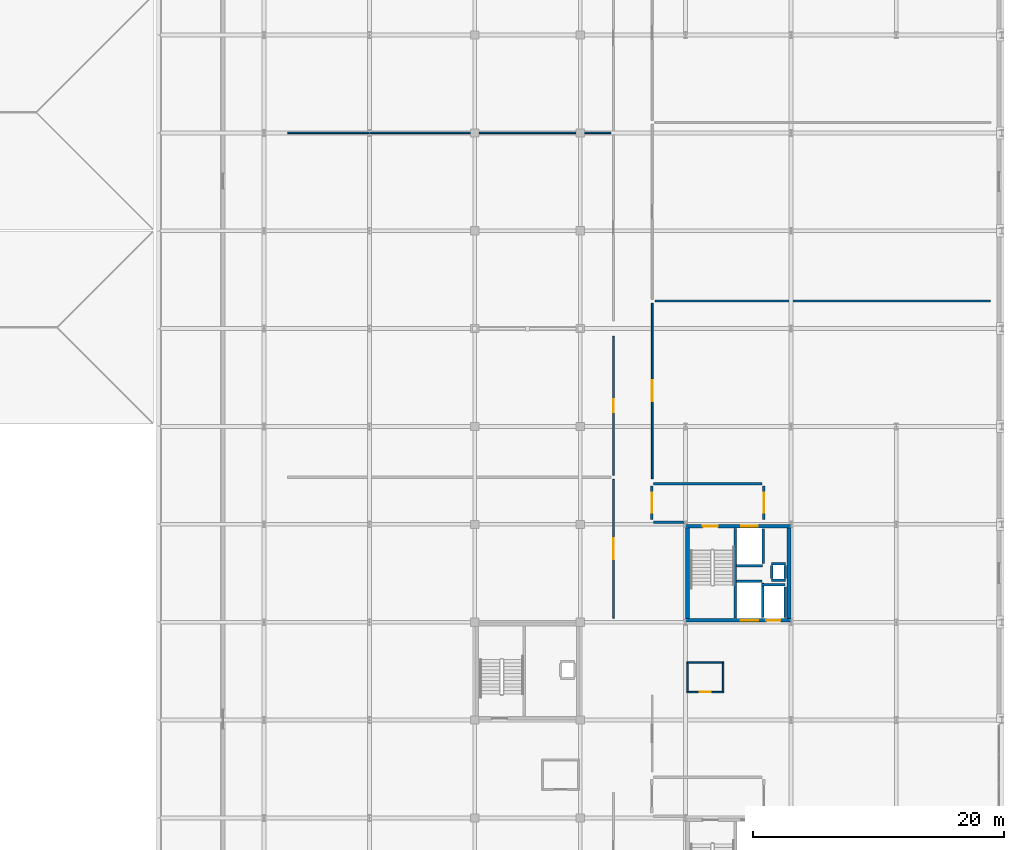
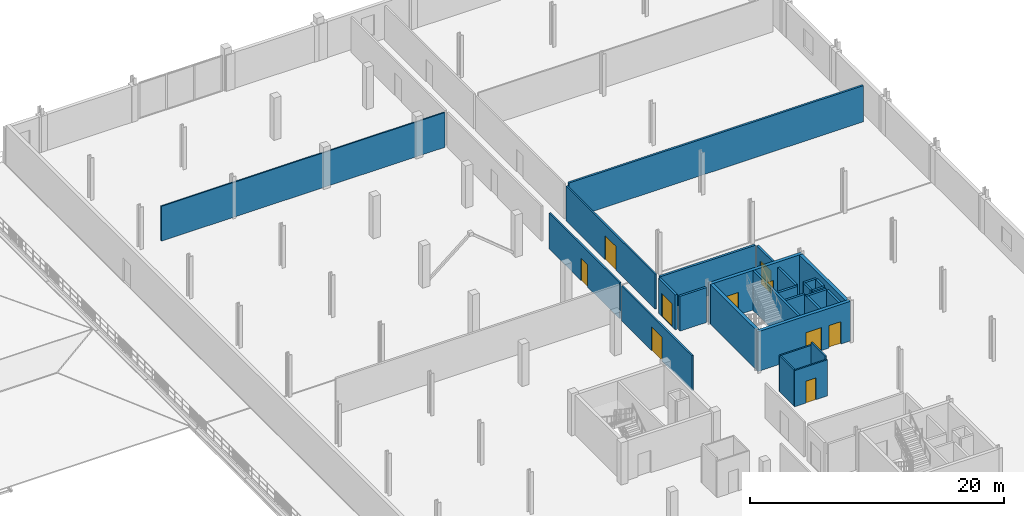
# One storey, part 62 of 77: 28 walls, 10 doors, 10 openings.
"""IFC4 building model written with IfcOpenShell, lengths in metres."""

import ifcopenshell
import ifcopenshell.guid

model = None  # the IFC model being written
_history = None  # IfcOwnerHistory: only IFC2X3 demands one
_inside = {}  # id of a spatial element -> (the spatial element, [elements in it])
_under = {}  # id of a project, library or spatial element -> (it, [spatial elements below it])
_declared = {}  # id of a project -> (the project, [libraries it declares])
_typed = {}  # id of a type object -> (the type object, [elements of that type])
_made_of = {}  # id of a material, layer set ... -> (it, [elements and type objects made of it])


def new_model(schema):
    """Start an empty IFC model of exactly this schema.

    Asked for "IFC4X3", IfcOpenShell would pick the latest addendum, in which some entities
    have other attributes; the version numbers below select the first issue.
    IFC2X3 requires an IfcOwnerHistory on every rooted entity: one is made here for all.
    """
    global model, _history
    if schema == "IFC4X3":
        model = ifcopenshell.file(schema_version=(4, 3, 0, 0))
    else:
        model = ifcopenshell.file(schema=schema)
    _inside.clear()
    _under.clear()
    _declared.clear()
    _typed.clear()
    _made_of.clear()
    _history = None
    if model.schema == "IFC2X3":
        org = make("IfcOrganization", Name="unknown")
        user = make(
            "IfcPersonAndOrganization",
            ThePerson=make("IfcPerson", FamilyName="unknown"),
            TheOrganization=org,
        )
        app = make(
            "IfcApplication",
            ApplicationDeveloper=org,
            Version="unknown",
            ApplicationFullName="unknown",
            ApplicationIdentifier="unknown",
        )
        _history = make(
            "IfcOwnerHistory",
            OwningUser=user,
            OwningApplication=app,
            ChangeAction="ADDED",
            CreationDate=0,
        )
    return model


def make(cls, **values):
    """One entity of the class cls with the attributes given. An attribute that is None is left unset."""
    return model.create_entity(
        cls, **{name: value for name, value in values.items() if value is not None}
    )


def rooted(cls, **values):
    """An entity with a GlobalId (a new one), such as an element, a storey or a relation."""
    return make(cls, GlobalId=ifcopenshell.guid.new(), OwnerHistory=_history, **values)


def si_unit(unit_type, name, prefix=None):
    """IfcSIUnit, for example si_unit("LENGTHUNIT", "METRE", prefix="MILLI")."""
    return make("IfcSIUnit", UnitType=unit_type, Prefix=prefix, Name=name)


def assignment(units):
    """IfcUnitAssignment: the units of a project."""
    return None if units is None else make("IfcUnitAssignment", Units=units)


def point(xyz):
    """IfcCartesianPoint."""
    return None if xyz is None else make("IfcCartesianPoint", Coordinates=xyz)


def direction(xyz):
    """IfcDirection."""
    return None if xyz is None else make("IfcDirection", DirectionRatios=xyz)


def frame(location, z_axis=None, x_axis=None):
    """IfcAxis2Placement3D, a coordinate frame: its origin and axes. An axis left out is left unset."""
    return make(
        "IfcAxis2Placement3D",
        Location=point(location),
        Axis=direction(z_axis),
        RefDirection=direction(x_axis),
    )


def frame_2d(location, x_axis=None):
    """IfcAxis2Placement2D, a coordinate frame in the plane: its origin and x axis."""
    return make(
        "IfcAxis2Placement2D", Location=point(location), RefDirection=direction(x_axis)
    )


def origin():
    """The frame at (0, 0, 0) with its axes left unset."""
    return frame((0.0, 0.0, 0.0))


def place(relative_to, where):
    """IfcLocalPlacement: puts the frame where relative to a parent placement (None: the world)."""
    return make(
        "IfcLocalPlacement", PlacementRelTo=relative_to, RelativePlacement=where
    )


def context(
    kind, dimensions, precision=None, world=None, true_north=None, identifier=None
):
    """IfcGeometricRepresentationContext, for example the 3D "Model" context."""
    return make(
        "IfcGeometricRepresentationContext",
        ContextIdentifier=identifier,
        ContextType=kind,
        CoordinateSpaceDimension=dimensions,
        Precision=precision,
        WorldCoordinateSystem=world,
        TrueNorth=true_north,
    )


def subcontext(parent, identifier, kind, view, scale=None):
    """IfcGeometricRepresentationSubContext, for example "Body" below "Model"."""
    return make(
        "IfcGeometricRepresentationSubContext",
        ContextIdentifier=identifier,
        ContextType=kind,
        ParentContext=parent,
        TargetScale=scale,
        TargetView=view,
    )


def project(units=None, contexts=None):
    """IfcProject with its units and contexts."""
    return rooted(
        "IfcProject",
        Name="project",
        RepresentationContexts=contexts,
        UnitsInContext=assignment(units),
    )


def spatial(cls, under=None, at=None, **own):
    """A site, building, storey or space (cls), placed at a placement, below another one or the project."""
    s = rooted(cls, ObjectPlacement=at, **own)
    if under is not None:
        _under.setdefault(under.id(), (under, []))[1].append(s)
    return s


def profile(cls, at=None, kind="AREA", **sizes):
    """A parametric profile (cls). Its sizes go by their IFC names, for example OverallWidth=200.0."""
    return make(cls, ProfileType=kind, Position=at, **sizes)


def rectangle(**sizes):
    """IfcRectangleProfileDef."""
    return profile("IfcRectangleProfileDef", **sizes)


def extrude(swept, where, along, depth):
    """IfcExtrudedAreaSolid: the profile swept, set in the frame where, extruded along a direction by depth."""
    return make(
        "IfcExtrudedAreaSolid",
        SweptArea=swept,
        Position=where,
        ExtrudedDirection=direction(along),
        Depth=depth,
    )


def shape(context_of_items, identifier, shape_type, items):
    """IfcShapeRepresentation: the items that make up one representation, for example the "Body"."""
    return make(
        "IfcShapeRepresentation",
        ContextOfItems=context_of_items,
        RepresentationIdentifier=identifier,
        RepresentationType=shape_type,
        Items=items,
    )


def material(Name=None, Category=None):
    """IfcMaterial."""
    return make("IfcMaterial", Name=Name, Category=Category)


def layer(
    of_material, thickness, ventilated=None, Name=None, Category=None, Priority=None
):
    """IfcMaterialLayer: one layer of a wall or slab, of a material (None: an air gap)."""
    return make(
        "IfcMaterialLayer",
        Material=of_material,
        LayerThickness=thickness,
        IsVentilated=ventilated,
        Name=Name,
        Category=Category,
        Priority=Priority,
    )


def layer_set(layers, Name=None):
    """IfcMaterialLayerSet."""
    return make("IfcMaterialLayerSet", MaterialLayers=layers, LayerSetName=Name)


def made_of(thing, what):
    """Note that an element or type object is made of a material, layer set ...; save() writes the relation."""
    if what is not None:
        _made_of.setdefault(what.id(), (what, []))[1].append(thing)
    return thing


def type_object(cls, material=None, **own):
    """A type object (cls), such as IfcWallType, which elements share."""
    return made_of(rooted(cls, **own), material)


def element(
    cls,
    number,
    at=None,
    inside=None,
    cuts=None,
    type_object=None,
    material=None,
    context=None,
    identifier="Body",
    shape_type=None,
    held_by="IfcProductDefinitionShape",
    body=None,
    shapes=None,
    **own,
):
    """One element of the class cls, such as IfcWall. Its Tag is "e" and its number.

    at: its placement. inside: the storey or other place that contains it. cuts: it is an
    opening in that element (IfcRelVoidsElement). A single representation is given by context,
    identifier, shape_type and body (its items); several are given by shapes. held_by: the class
    of the entity that holds the representations. save() writes the other relations.
    """
    e = rooted(cls, Tag="e%d" % number, ObjectPlacement=at, **own)
    if body is not None:
        shapes = [shape(context, identifier, shape_type, body)]
    if shapes is not None:
        e.Representation = make(held_by, Representations=shapes)
    if inside is not None:
        _inside.setdefault(inside.id(), (inside, []))[1].append(e)
    if cuts is not None:
        rooted(
            "IfcRelVoidsElement", RelatingBuildingElement=cuts, RelatedOpeningElement=e
        )
    if type_object is not None:
        _typed.setdefault(type_object.id(), (type_object, []))[1].append(e)
    return made_of(e, material)


def fill(opening, filler):
    """IfcRelFillsElement: the door or window that sits in an opening."""
    return rooted(
        "IfcRelFillsElement",
        RelatingOpeningElement=opening,
        RelatedBuildingElement=filler,
    )


def aggregate(whole, parts):
    """IfcRelAggregates: a whole, such as a stair, and the parts it consists of."""
    return rooted("IfcRelAggregates", RelatingObject=whole, RelatedObjects=parts)


def save(model, path):
    """Write the relations noted so far, then the file.

    IfcRelAggregates (storeys below a building ...), IfcRelContainedInSpatialStructure (elements
    in a storey), IfcRelDefinesByType, IfcRelAssociatesMaterial and IfcRelDeclares: one each for
    every whole, place, type object, material and project.
    """
    for whole, parts in _under.values():
        aggregate(whole, parts)
    for where, things in _inside.values():
        rooted(
            "IfcRelContainedInSpatialStructure",
            RelatedElements=things,
            RelatingStructure=where,
        )
    for kind, things in _typed.values():
        rooted("IfcRelDefinesByType", RelatedObjects=things, RelatingType=kind)
    for what, things in _made_of.values():
        rooted("IfcRelAssociatesMaterial", RelatedObjects=things, RelatingMaterial=what)
    for by, libraries in _declared.values():
        rooted("IfcRelDeclares", RelatingContext=by, RelatedDefinitions=libraries)
    model.write(path)


model = new_model("IFC4")

# Units and contexts
model_context = context("Model", 3, precision=1e-05, world=origin(), true_north=direction((0.0, 1.0)))
body_context = subcontext(model_context, "Body", "Model", "MODEL_VIEW")
ifc_project = project(units=[si_unit("LENGTHUNIT", "METRE"), si_unit("AREAUNIT", "SQUARE_METRE"), si_unit("VOLUMEUNIT", "CUBIC_METRE"), si_unit("PLANEANGLEUNIT", "RADIAN"), si_unit("MASSUNIT", "GRAM", prefix="KILO")], contexts=[model_context])

# Site, building, storey
site_placement = place(None, origin())
site = spatial("IfcSite", under=ifc_project, at=site_placement, CompositionType="ELEMENT")
building_placement = place(site_placement, origin())
building = spatial("IfcBuilding", under=site, at=building_placement, Name="Nabrawat Pavilion Hospital", CompositionType="ELEMENT")
storey_placement = place(building_placement, frame((0.0, 0.0, 14.85009765625)))
storey = spatial("IfcBuildingStorey", under=building, at=storey_placement, Name="L03", CompositionType="ELEMENT", Elevation=14.85009765625)

# Wall, opening, door
ifc_material_1 = material(Name="Gypsum Fireboard on Steel Stud", Category="steel")
ifc_layer_1 = layer(ifc_material_1, 0.14990234375, Name="Gypsum Fireboard on Steel Stud")
ifc_layer_set_1 = layer_set([ifc_layer_1], Name="Gypsum Fireboard on Steel Stud")
wall_type_1 = type_object("IfcWallType", Name="Clinical Corridor Smoke-Barrier Wall 150", PredefinedType="PARTITIONING", material=ifc_layer_set_1)
wall_1_placement = place(storey_placement, frame((162.260009765625, 70.52001953125, 0.0), z_axis=(0.0, 0.0, 1.0), x_axis=(0.0, 1.0, 0.0)))
wall_1 = element("IfcWall", 1, at=wall_1_placement, inside=storey, type_object=wall_type_1, Name="L03 Intensive Care Pod Cardiac Step-Down L03-03 Front Partition", PredefinedType="PARTITIONING", context=body_context, shape_type="SweptSolid", body=[
    extrude(rectangle(XDim=11.070068359375, YDim=0.14990234375, at=frame_2d((5.53515625, 0.0))), origin(), (0.0, 0.0, 1.0), 3.349853515625),
])
opening_1_placement = place(wall_1_placement, frame((4.68505859375, 0.0, 0.0)))
opening_1 = element("IfcOpeningElement", 2, at=opening_1_placement, cuts=wall_1, Name="Opening D-ICU", PredefinedType="OPENING", context=body_context, shape_type="SweptSolid", body=[
    extrude(rectangle(XDim=1.699951171875, YDim=2.300048828125, at=frame_2d((0.85009765625, 1.14990234375))), frame((0.0, 0.0849609375, 0.0), z_axis=(0.0, -1.0, 0.0), x_axis=(1.0, 0.0, 0.0)), (0.0, 0.0, 1.0), 0.169921875),
])
ifc_material_2 = material(Name="Stainless-Clad Acoustic Timber and Vision Glass", Category="wood")
door_type_1 = type_object("IfcDoorType", Name="Intensive Care Glazed Breakout Door 1700x2300", OperationType="DOUBLE_DOOR_SLIDING", PredefinedType="DOOR", material=ifc_material_2)
door_1_placement = place(opening_1_placement, origin())
door_1 = element("IfcDoor", 3, at=door_1_placement, inside=storey, type_object=door_type_1, Name="Intensive Care Pod Cardiac Step-Down L03-03 Door", OperationType="DOUBLE_DOOR_SLIDING", OverallHeight=2.300048828125, OverallWidth=1.699951171875, PredefinedType="DOOR", context=body_context, shape_type="SweptSolid", body=[
    extrude(rectangle(XDim=1.699951171875, YDim=2.300048828125, at=frame_2d((0.85009765625, 1.14990234375))), frame((0.0, 0.02490234375, 0.0), z_axis=(0.0, -1.0, 0.0), x_axis=(1.0, 0.0, 0.0)), (0.0, 0.0, 1.0), 0.050048828125),
])
fill(opening_1, door_1)

wall_2_placement = place(storey_placement, frame((162.260009765625, 81.909912109375, 0.0), z_axis=(0.0, 0.0, 1.0), x_axis=(0.0, 1.0, 0.0)))
wall_2 = element("IfcWall", 4, at=wall_2_placement, inside=storey, type_object=wall_type_1, Name="L03 Cardiology Ward Nurse Station L03-04 Front Partition", PredefinedType="PARTITIONING", context=body_context, shape_type="SweptSolid", body=[
    extrude(rectangle(XDim=11.070068359375, YDim=0.14990234375, at=frame_2d((5.53515625, 0.0))), origin(), (0.0, 0.0, 1.0), 3.449951171875),
])
opening_2_placement = place(wall_2_placement, frame((5.010009765625, 0.0, 0.0)))
opening_2 = element("IfcOpeningElement", 5, at=opening_2_placement, cuts=wall_2, Name="Opening D-OPC-R", PredefinedType="OPENING", context=body_context, shape_type="SweptSolid", body=[
    extrude(rectangle(XDim=1.050048828125, YDim=2.14990234375, at=frame_2d((0.52490234375, 1.074951171875))), frame((0.0, 0.0849609375, 0.0), z_axis=(0.0, -1.0, 0.0), x_axis=(1.0, 0.0, 0.0)), (0.0, 0.0, 1.0), 0.169921875),
])
door_type_2 = type_object("IfcDoorType", Name="Outpatient Clinic Consultation Door R 1050x2150", OperationType="NOTDEFINED", PredefinedType="DOOR", material=ifc_material_2)
door_2_placement = place(opening_2_placement, origin())
door_2 = element("IfcDoor", 6, at=door_2_placement, inside=storey, type_object=door_type_2, Name="Cardiology Ward Nurse Station L03-04 Door", OperationType="SINGLE_SWING_LEFT", OverallHeight=2.14990234375, OverallWidth=1.050048828125, PredefinedType="DOOR", context=body_context, shape_type="SweptSolid", body=[
    extrude(rectangle(XDim=1.050048828125, YDim=2.14990234375, at=frame_2d((0.52490234375, 1.074951171875))), frame((0.0, 0.02490234375, 0.0), z_axis=(0.0, -1.0, 0.0), x_axis=(1.0, 0.0, 0.0)), (0.0, 0.0, 1.0), 0.050048828125),
])
fill(opening_2, door_2)

wall_3_placement = place(storey_placement, frame((165.340087890625, 81.64990234375, 0.0), z_axis=(0.0, 0.0, 1.0), x_axis=(0.0, 1.0, 0.0)))
wall_3 = element("IfcWall", 7, at=wall_3_placement, inside=storey, type_object=wall_type_1, Name="L03 Intensive Care Pod Cardiac Step-Down L03-09 Front Partition", PredefinedType="PARTITIONING", context=body_context, shape_type="SweptSolid", body=[
    extrude(rectangle(XDim=13.989990234375, YDim=0.14990234375, at=frame_2d((6.9951171875, 0.0))), origin(), (0.0, 0.0, 1.0), 3.349853515625),
])
opening_3_placement = place(wall_3_placement, frame((6.14501953125, 0.0, 0.0)))
opening_3 = element("IfcOpeningElement", 8, at=opening_3_placement, cuts=wall_3, Name="Opening D-ICU", PredefinedType="OPENING", context=body_context, shape_type="SweptSolid", body=[
    extrude(rectangle(XDim=1.699951171875, YDim=2.300048828125, at=frame_2d((0.85009765625, 1.14990234375))), frame((0.0, 0.0849609375, 0.0), z_axis=(0.0, -1.0, 0.0), x_axis=(1.0, 0.0, 0.0)), (0.0, 0.0, 1.0), 0.169921875),
])
door_3_placement = place(opening_3_placement, origin())
door_3 = element("IfcDoor", 9, at=door_3_placement, inside=storey, type_object=door_type_1, Name="Intensive Care Pod Cardiac Step-Down L03-09 Door", OperationType="DOUBLE_DOOR_SLIDING", OverallHeight=2.300048828125, OverallWidth=1.699951171875, PredefinedType="DOOR", context=body_context, shape_type="SweptSolid", body=[
    extrude(rectangle(XDim=1.699951171875, YDim=2.300048828125, at=frame_2d((0.85009765625, 1.14990234375))), frame((0.0, 0.02490234375, 0.0), z_axis=(0.0, -1.0, 0.0), x_axis=(1.0, 0.0, 0.0)), (0.0, 0.0, 1.0), 0.050048828125),
])
fill(opening_3, door_3)

# Wall
ifc_material_3 = material(Name="Acoustic Gypsum on Twin Stud", Category="gypsum")
ifc_layer_2 = layer(ifc_material_3, 0.179931640625, Name="Acoustic Gypsum on Twin Stud")
ifc_layer_set_2 = layer_set([ifc_layer_2], Name="Acoustic Gypsum on Twin Stud")
wall_type_2 = type_object("IfcWallType", Name="Critical Care Acoustic Glazed Partition 180", PredefinedType="PARTITIONING", material=ifc_layer_set_2)
wall_4_placement = place(storey_placement, frame((165.56005859375, 95.800048828125, 0.0), z_axis=(0.0, 0.0, 1.0), x_axis=(1.0, 0.0, 0.0)))
element("IfcWall", 10, at=wall_4_placement, inside=storey, type_object=wall_type_2, Name="L03 Intensive Care Pod Cardiac Step-Down L03-09 Dividing Partition", PredefinedType="PARTITIONING", context=body_context, shape_type="SweptSolid", body=[
    extrude(rectangle(XDim=26.75, YDim=0.179931640625, at=frame_2d((13.375, 0.0))), origin(), (0.0, 0.0, 1.0), 3.47998046875),
])

# Wall, opening, door
ifc_material_4 = material(Name="Cement Board on Steel Stud", Category="steel")
ifc_layer_3 = layer(ifc_material_4, 0.1298828125, Name="Cement Board on Steel Stud")
ifc_layer_set_3 = layer_set([ifc_layer_3], Name="Cement Board on Steel Stud")
wall_type_3 = type_object("IfcWallType", Name="En-Suite Moisture-Resistant Partition 130", PredefinedType="PARTITIONING", material=ifc_layer_set_3)
wall_5_placement = place(storey_placement, frame((168.074951171875, 64.6298828125, 0.0), z_axis=(0.0, 0.0, 1.0), x_axis=(1.0, 0.0, 0.0)))
wall_5 = element("IfcWall", 11, at=wall_5_placement, inside=storey, type_object=wall_type_3, Name="L03 En-Suite Bathroom WRD-CR2-08 Front Partition", PredefinedType="PARTITIONING", context=body_context, shape_type="SweptSolid", body=[
    extrude(rectangle(XDim=2.97998046875, YDim=0.1298828125, at=frame_2d((1.489990234375, 0.0))), origin(), (0.0, 0.0, 1.0), 3.47998046875),
])
opening_4_placement = place(wall_5_placement, frame((1.0400390625, 0.0, 0.0)))
opening_4 = element("IfcOpeningElement", 12, at=opening_4_placement, cuts=wall_5, Name="Opening D-ENS-L", PredefinedType="OPENING", context=body_context, shape_type="SweptSolid", body=[
    extrude(rectangle(XDim=0.89990234375, YDim=2.10009765625, at=frame_2d((0.449951171875, 1.050048828125))), frame((0.0, 0.074951171875, 0.0), z_axis=(0.0, -1.0, 0.0), x_axis=(1.0, 0.0, 0.0)), (0.0, 0.0, 1.0), 0.14990234375),
])
door_type_3 = type_object("IfcDoorType", Name="En-Suite Bathroom Outward Door L 900x2100", OperationType="NOTDEFINED", PredefinedType="DOOR", material=ifc_material_2)
door_4_placement = place(opening_4_placement, origin())
door_4 = element("IfcDoor", 13, at=door_4_placement, inside=storey, type_object=door_type_3, Name="En-Suite Bathroom WRD-CR2-08 Door", OperationType="SINGLE_SWING_RIGHT", OverallHeight=2.10009765625, OverallWidth=0.89990234375, PredefinedType="DOOR", context=body_context, shape_type="SweptSolid", body=[
    extrude(rectangle(XDim=0.89990234375, YDim=2.10009765625, at=frame_2d((0.449951171875, 1.050048828125))), frame((0.0, 0.02490234375, 0.0), z_axis=(0.0, -1.0, 0.0), x_axis=(1.0, 0.0, 0.0)), (0.0, 0.0, 1.0), 0.050048828125),
])
fill(opening_4, door_4)

# Walls
wall_6_placement = place(storey_placement, frame((168.074951171875, 66.97998046875, 0.0), z_axis=(0.0, 0.0, 1.0), x_axis=(1.0, 0.0, 0.0)))
element("IfcWall", 14, at=wall_6_placement, inside=storey, type_object=wall_type_3, Name="L03 En-Suite Bathroom WRD-CR2-08 North Partition", PredefinedType="PARTITIONING", context=body_context, shape_type="SweptSolid", body=[
    extrude(rectangle(XDim=2.97998046875, YDim=0.1298828125, at=frame_2d((1.489990234375, 0.0))), origin(), (0.0, 0.0, 1.0), 3.47998046875),
])
wall_7_placement = place(storey_placement, frame((168.139892578125, 64.695068359375, 0.0), z_axis=(0.0, 0.0, 1.0), x_axis=(0.0, 1.0, 0.0)))
element("IfcWall", 15, at=wall_7_placement, inside=storey, type_object=wall_type_3, Name="L03 En-Suite Bathroom WRD-CR2-08 West Partition", PredefinedType="PARTITIONING", context=body_context, shape_type="SweptSolid", body=[
    extrude(rectangle(XDim=2.219970703125, YDim=0.1298828125, at=frame_2d((1.10986328125, 0.0))), origin(), (0.0, 0.0, 1.0), 3.47998046875),
])
wall_8_placement = place(storey_placement, frame((170.989990234375, 64.695068359375, 0.0), z_axis=(0.0, 0.0, 1.0), x_axis=(0.0, 1.0, 0.0)))
element("IfcWall", 16, at=wall_8_placement, inside=storey, type_object=wall_type_3, Name="L03 En-Suite Bathroom WRD-CR2-08 East Partition", PredefinedType="PARTITIONING", context=body_context, shape_type="SweptSolid", body=[
    extrude(rectangle(XDim=2.219970703125, YDim=0.1298828125, at=frame_2d((1.10986328125, 0.0))), origin(), (0.0, 0.0, 1.0), 3.77001953125),
])
ifc_material_5 = material(Name="Concrete C35/45", Category="concrete")
ifc_layer_4 = layer(ifc_material_5, 0.199951171875, Name="Concrete C35/45")
ifc_layer_set_4 = layer_set([ifc_layer_4], Name="Concrete C35/45")
wall_type_4 = type_object("IfcWallType", Name="Firefighting Lobby Compartment Wall 200", PredefinedType="PARTITIONING", material=ifc_layer_set_4)
wall_9_placement = place(storey_placement, frame((165.43994140625, 78.14990234375, 0.0), z_axis=(0.0, 0.0, 1.0), x_axis=(1.0, 0.0, 0.0)))
element("IfcWall", 17, at=wall_9_placement, inside=storey, type_object=wall_type_4, Name="L03 CORE-6 Firefighting Lobby South Return Wall", PredefinedType="PARTITIONING", context=body_context, shape_type="SweptSolid", body=[
    extrude(rectangle(XDim=2.43994140625, YDim=0.199951171875, at=frame_2d((1.219970703125, 0.0))), origin(), (0.0, 0.0, 1.0), 3.349853515625),
])
wall_10_placement = place(storey_placement, frame((165.43994140625, 81.25, 0.0), z_axis=(0.0, 0.0, 1.0), x_axis=(1.0, 0.0, 0.0)))
element("IfcWall", 18, at=wall_10_placement, inside=storey, type_object=wall_type_4, Name="L03 CORE-6 Firefighting Lobby North Compartment Wall", PredefinedType="PARTITIONING", context=body_context, shape_type="SweptSolid", body=[
    extrude(rectangle(XDim=8.66015625, YDim=0.199951171875, at=frame_2d((4.330078125, 0.0))), origin(), (0.0, 0.0, 1.0), 3.349853515625),
])

# Wall, opening, door
wall_11_placement = place(storey_placement, frame((165.320068359375, 78.39990234375, 0.0), z_axis=(0.0, 0.0, 1.0), x_axis=(0.0, 1.0, 0.0)))
wall_11 = element("IfcWall", 19, at=wall_11_placement, inside=storey, type_object=wall_type_4, Name="L03 CORE-6 Firefighting Lobby West Compartment Wall", PredefinedType="PARTITIONING", context=body_context, shape_type="SweptSolid", body=[
    extrude(rectangle(XDim=2.650146484375, YDim=0.199951171875, at=frame_2d((1.3251953125, 0.0))), origin(), (0.0, 0.0, 1.0), 3.349853515625),
])
opening_5_placement = place(wall_11_placement, frame((0.52490234375, 0.0, 0.0)))
opening_5 = element("IfcOpeningElement", 20, at=opening_5_placement, cuts=wall_11, Name="Opening D-FFL", PredefinedType="OPENING", context=body_context, shape_type="SweptSolid", body=[
    extrude(rectangle(XDim=1.60009765625, YDim=2.199951171875, at=frame_2d((0.800048828125, 1.10009765625))), frame((0.0, 0.10986328125, 0.0), z_axis=(0.0, -1.0, 0.0), x_axis=(1.0, 0.0, 0.0)), (0.0, 0.0, 1.0), 0.219970703125),
])
door_type_4 = type_object("IfcDoorType", Name="D-FFL Firefighting Lobby Double Smoke Door 1600x2200", OperationType="NOTDEFINED", PredefinedType="DOOR", material=ifc_material_2)
door_5_placement = place(opening_5_placement, origin())
door_5 = element("IfcDoor", 21, at=door_5_placement, inside=storey, type_object=door_type_4, Name="L03 CORE-6 Firefighting Lobby West Smoke Door", OperationType="DOUBLE_DOOR_SINGLE_SWING", OverallHeight=2.199951171875, OverallWidth=1.60009765625, PredefinedType="DOOR", context=body_context, shape_type="SweptSolid", body=[
    extrude(rectangle(XDim=1.60009765625, YDim=2.199951171875, at=frame_2d((0.800048828125, 1.10009765625))), frame((0.0, 0.02490234375, 0.0), z_axis=(0.0, -1.0, 0.0), x_axis=(1.0, 0.0, 0.0)), (0.0, 0.0, 1.0), 0.050048828125),
])
fill(opening_5, door_5)

wall_12_placement = place(storey_placement, frame((174.25, 78.39990234375, 0.0), z_axis=(0.0, 0.0, 1.0), x_axis=(0.0, 1.0, 0.0)))
wall_12 = element("IfcWall", 22, at=wall_12_placement, inside=storey, type_object=wall_type_4, Name="L03 CORE-6 Firefighting Lobby East Compartment Wall", PredefinedType="PARTITIONING", context=body_context, shape_type="SweptSolid", body=[
    extrude(rectangle(XDim=2.650146484375, YDim=0.199951171875, at=frame_2d((1.3251953125, 0.0))), origin(), (0.0, 0.0, 1.0), 3.349853515625),
])
opening_6_placement = place(wall_12_placement, frame((0.52490234375, 0.0, 0.0)))
opening_6 = element("IfcOpeningElement", 23, at=opening_6_placement, cuts=wall_12, Name="Opening D-FFL", PredefinedType="OPENING", context=body_context, shape_type="SweptSolid", body=[
    extrude(rectangle(XDim=1.60009765625, YDim=2.199951171875, at=frame_2d((0.800048828125, 1.10009765625))), frame((0.0, 0.10986328125, 0.0), z_axis=(0.0, -1.0, 0.0), x_axis=(1.0, 0.0, 0.0)), (0.0, 0.0, 1.0), 0.219970703125),
])
door_6_placement = place(opening_6_placement, origin())
door_6 = element("IfcDoor", 24, at=door_6_placement, inside=storey, type_object=door_type_4, Name="L03 CORE-6 Firefighting Lobby East Smoke Door", OperationType="DOUBLE_DOOR_SINGLE_SWING", OverallHeight=2.199951171875, OverallWidth=1.60009765625, PredefinedType="DOOR", context=body_context, shape_type="SweptSolid", body=[
    extrude(rectangle(XDim=1.60009765625, YDim=2.199951171875, at=frame_2d((0.800048828125, 1.10009765625))), frame((0.0, 0.02490234375, 0.0), z_axis=(0.0, -1.0, 0.0), x_axis=(1.0, 0.0, 0.0)), (0.0, 0.0, 1.0), 0.050048828125),
])
fill(opening_6, door_6)

# Walls
ifc_layer_5 = layer(ifc_material_5, 0.199951171875, Name="Concrete C35/45")
ifc_layer_set_5 = layer_set([ifc_layer_5], Name="Concrete C35/45")
wall_type_5 = type_object("IfcWallType", Name="Lift and Riser Fire Shaft Wall 200", PredefinedType="PARTITIONING", material=ifc_layer_set_5)
wall_13_placement = place(storey_placement, frame((171.949951171875, 70.52001953125, 0.0), z_axis=(0.0, 0.0, 1.0), x_axis=(0.0, 1.0, 0.0)))
element("IfcWall", 25, at=wall_13_placement, inside=storey, type_object=wall_type_5, Name="L03 CORE-6 Stair-Lift Dividing Shear Wall", PredefinedType="SHEAR", context=body_context, shape_type="SweptSolid", body=[
    extrude(rectangle(XDim=7.159912109375, YDim=0.199951171875, at=frame_2d((3.580078125, 0.0))), origin(), (0.0, 0.0, 1.0), 3.809814453125),
])
for number, where, z_axis, x_axis, name in (
    (26, (174.85009765625, 73.550048828125, 0.0), (0.0, 0.0, 1.0), (1.0, 0.0, 0.0), "L03 CORE-6 MEP Riser Shaft Wall S"),
    (27, (174.85009765625, 74.85009765625, 0.0), (0.0, 0.0, 1.0), (1.0, 0.0, 0.0), "L03 CORE-6 MEP Riser Shaft Wall N"),
):
    element("IfcWall", number, at=place(storey_placement, frame(where, z_axis=z_axis, x_axis=x_axis)), inside=storey, type_object=wall_type_5, Name=name, PredefinedType="PARTITIONING", context=body_context, shape_type="SweptSolid", body=[
        extrude(rectangle(XDim=1.099853515625, YDim=0.199951171875, at=frame_2d((0.5498046875, 0.0))), origin(), (0.0, 0.0, 1.0), 3.349853515625),
    ])
for number, where, z_axis, x_axis, name in (
    (28, (174.85009765625, 73.669921875, 0.0), (0.0, 0.0, 1.0), (0.0, 1.0, 0.0), "L03 CORE-6 MEP Riser Shaft Wall W"),
    (29, (175.949951171875, 73.669921875, 0.0), (0.0, 0.0, 1.0), (0.0, 1.0, 0.0), "L03 CORE-6 MEP Riser Shaft Wall E"),
):
    element("IfcWall", number, at=place(storey_placement, frame(where, z_axis=z_axis, x_axis=x_axis)), inside=storey, type_object=wall_type_5, Name=name, PredefinedType="PARTITIONING", context=body_context, shape_type="SweptSolid", body=[
        extrude(rectangle(XDim=1.06005859375, YDim=0.199951171875, at=frame_2d((0.530029296875, 0.0))), origin(), (0.0, 0.0, 1.0), 3.349853515625),
    ])
wall_14_placement = place(storey_placement, frame((174.179931640625, 74.8798828125, 0.0), z_axis=(0.0, 0.0, 1.0), x_axis=(0.0, 1.0, 0.0)))
element("IfcWall", 30, at=wall_14_placement, inside=storey, type_object=wall_type_5, Name="L03 Lift LF-02 Shaft East Wall", PredefinedType="PARTITIONING", context=body_context, shape_type="SweptSolid", body=[
    extrude(rectangle(XDim=2.740234375, YDim=0.199951171875, at=frame_2d((1.3701171875, 0.0))), origin(), (0.0, 0.0, 1.0), 3.349853515625),
])
wall_15_placement = place(storey_placement, frame((172.050048828125, 74.719970703125, 0.0), z_axis=(0.0, 0.0, 1.0), x_axis=(1.0, 0.0, 0.0)))
element("IfcWall", 31, at=wall_15_placement, inside=storey, type_object=wall_type_5, Name="L03 Lift LF-02 Shaft Back Wall", PredefinedType="PARTITIONING", context=body_context, shape_type="SweptSolid", body=[
    extrude(rectangle(XDim=2.099853515625, YDim=0.199951171875, at=frame_2d((1.0498046875, 0.0))), origin(), (0.0, 0.0, 1.0), 3.349853515625),
])
wall_16_placement = place(storey_placement, frame((174.139892578125, 70.580078125, 0.0), z_axis=(0.0, 0.0, 1.0), x_axis=(0.0, 1.0, 0.0)))
element("IfcWall", 32, at=wall_16_placement, inside=storey, type_object=wall_type_5, Name="L03 Lift LB-04 Shaft East Wall", PredefinedType="PARTITIONING", context=body_context, shape_type="SweptSolid", body=[
    extrude(rectangle(XDim=2.739990234375, YDim=0.199951171875, at=frame_2d((1.3701171875, 0.0))), origin(), (0.0, 0.0, 1.0), 3.349853515625),
])
wall_17_placement = place(storey_placement, frame((172.050048828125, 73.47998046875, 0.0), z_axis=(0.0, 0.0, 1.0), x_axis=(1.0, 0.0, 0.0)))
element("IfcWall", 33, at=wall_17_placement, inside=storey, type_object=wall_type_5, Name="L03 Lift LB-04 Shaft Back Wall", PredefinedType="PARTITIONING", context=body_context, shape_type="SweptSolid", body=[
    extrude(rectangle(XDim=2.06005859375, YDim=0.199951171875, at=frame_2d((1.030029296875, 0.0))), origin(), (0.0, 0.0, 1.0), 3.349853515625),
])
wall_18_placement = place(storey_placement, frame((175.9599609375, 70.580078125, 0.0), z_axis=(0.0, 0.0, 1.0), x_axis=(0.0, 1.0, 0.0)))
element("IfcWall", 34, at=wall_18_placement, inside=storey, type_object=wall_type_5, Name="L03 Lift LS-02 Shaft East Wall", PredefinedType="PARTITIONING", context=body_context, shape_type="SweptSolid", body=[
    extrude(rectangle(XDim=2.43994140625, YDim=0.199951171875, at=frame_2d((1.219970703125, 0.0))), origin(), (0.0, 0.0, 1.0), 3.349853515625),
])
wall_19_placement = place(storey_placement, frame((174.070068359375, 73.179931640625, 0.0), z_axis=(0.0, 0.0, 1.0), x_axis=(1.0, 0.0, 0.0)))
element("IfcWall", 35, at=wall_19_placement, inside=storey, type_object=wall_type_5, Name="L03 Lift LS-02 Shaft Back Wall", PredefinedType="PARTITIONING", context=body_context, shape_type="SweptSolid", body=[
    extrude(rectangle(XDim=1.85986328125, YDim=0.199951171875, at=frame_2d((0.929931640625, 0.0))), origin(), (0.0, 0.0, 1.0), 3.349853515625),
])
ifc_material_6 = material(Name="Gypsum Plasterboard on Stud", Category="gypsum")
ifc_layer_6 = layer(ifc_material_6, 0.1201171875, Name="Gypsum Plasterboard on Stud")
ifc_layer_set_6 = layer_set([ifc_layer_6], Name="Gypsum Plasterboard on Stud")
wall_type_6 = type_object("IfcWallType", Name="Outpatient Consultation Partition 120", PredefinedType="PARTITIONING", material=ifc_layer_set_6)
wall_20_placement = place(storey_placement, frame((136.2900390625, 109.199951171875, 0.0), z_axis=(0.0, 0.0, 1.0), x_axis=(1.0, 0.0, 0.0)))
element("IfcWall", 36, at=wall_20_placement, inside=storey, type_object=wall_type_6, Name="L03 Cardiology Patient Rehabilitation Lounge L03-05 Dividing Partition", PredefinedType="PARTITIONING", context=body_context, shape_type="SweptSolid", body=[
    extrude(rectangle(XDim=25.75, YDim=0.1201171875, at=frame_2d((12.875, 0.0))), origin(), (0.0, 0.0, 1.0), 3.349853515625),
])

# Wall, openings, doors
ifc_material_7 = material(Name="Concrete C40/50", Category="concrete")
ifc_layer_7 = layer(ifc_material_7, 0.300048828125, Name="Concrete C40/50")
ifc_layer_set_7 = layer_set([ifc_layer_7], Name="Concrete C40/50")
wall_type_7 = type_object("IfcWallType", Name="Reinforced Concrete Core Shear Wall 300", PredefinedType="SHEAR", material=ifc_layer_set_7)
wall_21_placement = place(storey_placement, frame((168.0, 70.35009765625, 0.0), z_axis=(0.0, 0.0, 1.0), x_axis=(1.0, 0.0, 0.0)))
wall_21 = element("IfcWall", 37, at=wall_21_placement, inside=storey, type_object=wall_type_7, Name="L03 CORE-6 South Core Shear Wall", PredefinedType="SHEAR", context=body_context, shape_type="SweptSolid", body=[
    extrude(rectangle(XDim=8.39990234375, YDim=0.300048828125, at=frame_2d((4.199951171875, 0.0))), origin(), (0.0, 0.0, 1.0), 3.809814453125),
])
opening_7_placement = place(wall_21_placement, frame((4.3798828125, 0.0, 0.0)))
opening_7 = element("IfcOpeningElement", 38, at=opening_7_placement, cuts=wall_21, Name="Opening LD-LB-04", PredefinedType="OPENING", context=body_context, shape_type="SweptSolid", body=[
    extrude(rectangle(XDim=1.39990234375, YDim=2.199951171875, at=frame_2d((0.699951171875, 1.10009765625))), frame((0.0, 0.16015625, 0.0), z_axis=(0.0, -1.0, 0.0), x_axis=(1.0, 0.0, 0.0)), (0.0, 0.0, 1.0), 0.320068359375),
])
opening_8_placement = place(wall_21_placement, frame((6.449951171875, 0.0, 0.0)))
opening_8 = element("IfcOpeningElement", 39, at=opening_8_placement, cuts=wall_21, Name="Opening LD-LS-02", PredefinedType="OPENING", context=body_context, shape_type="SweptSolid", body=[
    extrude(rectangle(XDim=1.10009765625, YDim=2.14990234375, at=frame_2d((0.550048828125, 1.074951171875))), frame((0.0, 0.16015625, 0.0), z_axis=(0.0, -1.0, 0.0), x_axis=(1.0, 0.0, 0.0)), (0.0, 0.0, 1.0), 0.320068359375),
])
door_type_5 = type_object("IfcDoorType", Name="Hospital Bed Lift Sliding Landing Door 1400x2200", OperationType="DOUBLE_DOOR_SLIDING", PredefinedType="DOOR", material=ifc_material_2)
door_7_placement = place(opening_7_placement, origin())
door_7 = element("IfcDoor", 40, at=door_7_placement, inside=storey, type_object=door_type_5, Name="L03 Lift LB-04 Sliding Landing Door", OperationType="DOUBLE_DOOR_SLIDING", OverallHeight=2.199951171875, OverallWidth=1.39990234375, PredefinedType="DOOR", context=body_context, shape_type="SweptSolid", body=[
    extrude(rectangle(XDim=1.39990234375, YDim=2.199951171875, at=frame_2d((0.699951171875, 1.10009765625))), frame((0.0, 0.02490234375, 0.0), z_axis=(0.0, -1.0, 0.0), x_axis=(1.0, 0.0, 0.0)), (0.0, 0.0, 1.0), 0.050048828125),
])
fill(opening_7, door_7)
door_type_6 = type_object("IfcDoorType", Name="Passenger Lift Sliding Landing Door 1100x2150", OperationType="DOUBLE_DOOR_SLIDING", PredefinedType="DOOR", material=ifc_material_2)
door_8_placement = place(opening_8_placement, origin())
door_8 = element("IfcDoor", 41, at=door_8_placement, inside=storey, type_object=door_type_6, Name="L03 Lift LS-02 Sliding Landing Door", OperationType="DOUBLE_DOOR_SLIDING", OverallHeight=2.14990234375, OverallWidth=1.10009765625, PredefinedType="DOOR", context=body_context, shape_type="SweptSolid", body=[
    extrude(rectangle(XDim=1.10009765625, YDim=2.14990234375, at=frame_2d((0.550048828125, 1.074951171875))), frame((0.0, 0.02490234375, 0.0), z_axis=(0.0, -1.0, 0.0), x_axis=(1.0, 0.0, 0.0)), (0.0, 0.0, 1.0), 0.050048828125),
])
fill(opening_8, door_8)

wall_22_placement = place(storey_placement, frame((168.0, 77.85009765625, 0.0), z_axis=(0.0, 0.0, 1.0), x_axis=(1.0, 0.0, 0.0)))
wall_22 = element("IfcWall", 42, at=wall_22_placement, inside=storey, type_object=wall_type_7, Name="L03 CORE-6 North Core Shear Wall", PredefinedType="SHEAR", context=body_context, shape_type="SweptSolid", body=[
    extrude(rectangle(XDim=8.39990234375, YDim=0.300048828125, at=frame_2d((4.199951171875, 0.0))), origin(), (0.0, 0.0, 1.0), 3.809814453125),
])
opening_9_placement = place(wall_22_placement, frame((1.3798828125, 0.0, 0.0)))
opening_9 = element("IfcOpeningElement", 43, at=opening_9_placement, cuts=wall_22, Name="Opening D-STAIR", PredefinedType="OPENING", context=body_context, shape_type="SweptSolid", body=[
    extrude(rectangle(XDim=1.199951171875, YDim=2.14990234375, at=frame_2d((0.60009765625, 1.074951171875))), frame((0.0, 0.16015625, 0.0), z_axis=(0.0, -1.0, 0.0), x_axis=(1.0, 0.0, 0.0)), (0.0, 0.0, 1.0), 0.320068359375),
])
opening_10_placement = place(wall_22_placement, frame((4.449951171875, 0.0, 0.0)))
opening_10 = element("IfcOpeningElement", 44, at=opening_10_placement, cuts=wall_22, Name="Opening LD-LF-02", PredefinedType="OPENING", context=body_context, shape_type="SweptSolid", body=[
    extrude(rectangle(XDim=1.300048828125, YDim=2.199951171875, at=frame_2d((0.64990234375, 1.10009765625))), frame((0.0, 0.16015625, 0.0), z_axis=(0.0, -1.0, 0.0), x_axis=(1.0, 0.0, 0.0)), (0.0, 0.0, 1.0), 0.320068359375),
])
door_type_7 = type_object("IfcDoorType", Name="D-STAIR Exit Stair Fire Door 1200x2150", OperationType="NOTDEFINED", PredefinedType="DOOR", material=ifc_material_2)
door_9_placement = place(opening_9_placement, origin())
door_9 = element("IfcDoor", 45, at=door_9_placement, inside=storey, type_object=door_type_7, Name="L03 ST-06 Fire Exit Stair Door", OperationType="SINGLE_SWING_LEFT", OverallHeight=2.14990234375, OverallWidth=1.199951171875, PredefinedType="DOOR", context=body_context, shape_type="SweptSolid", body=[
    extrude(rectangle(XDim=1.199951171875, YDim=2.14990234375, at=frame_2d((0.60009765625, 1.074951171875))), frame((0.0, 0.02490234375, 0.0), z_axis=(0.0, -1.0, 0.0), x_axis=(1.0, 0.0, 0.0)), (0.0, 0.0, 1.0), 0.050048828125),
])
fill(opening_9, door_9)
door_type_8 = type_object("IfcDoorType", Name="Firefighting Lift Sliding Landing Door 1300x2200", OperationType="DOUBLE_DOOR_SLIDING", PredefinedType="DOOR", material=ifc_material_2)
door_10_placement = place(opening_10_placement, origin())
door_10 = element("IfcDoor", 46, at=door_10_placement, inside=storey, type_object=door_type_8, Name="L03 Lift LF-02 Sliding Landing Door", OperationType="DOUBLE_DOOR_SLIDING", OverallHeight=2.199951171875, OverallWidth=1.300048828125, PredefinedType="DOOR", context=body_context, shape_type="SweptSolid", body=[
    extrude(rectangle(XDim=1.300048828125, YDim=2.199951171875, at=frame_2d((0.64990234375, 1.10009765625))), frame((0.0, 0.02490234375, 0.0), z_axis=(0.0, -1.0, 0.0), x_axis=(1.0, 0.0, 0.0)), (0.0, 0.0, 1.0), 0.050048828125),
])
fill(opening_10, door_10)

# Walls
for number, where, z_axis, x_axis, name in (
    (47, (168.14990234375, 70.5, 0.0), (0.0, 0.0, 1.0), (0.0, 1.0, 0.0), "L03 CORE-6 West Core Shear Wall"),
    (48, (176.25, 70.5, 0.0), (0.0, 0.0, 1.0), (0.0, 1.0, 0.0), "L03 CORE-6 East Core Shear Wall"),
):
    element("IfcWall", number, at=place(storey_placement, frame(where, z_axis=z_axis, x_axis=x_axis)), inside=storey, type_object=wall_type_7, Name=name, PredefinedType="SHEAR", context=body_context, shape_type="SweptSolid", body=[
        extrude(rectangle(XDim=7.199951171875, YDim=0.300048828125, at=frame_2d((3.60009765625, 0.0))), origin(), (0.0, 0.0, 1.0), 3.809814453125),
    ])

save(model, "model.ifc")
